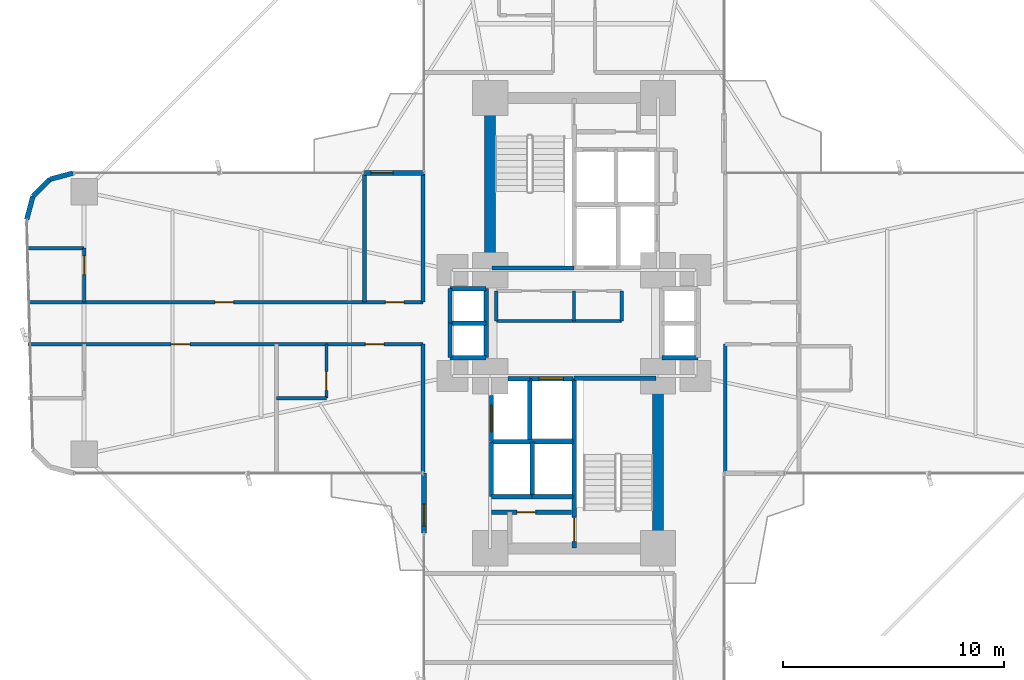
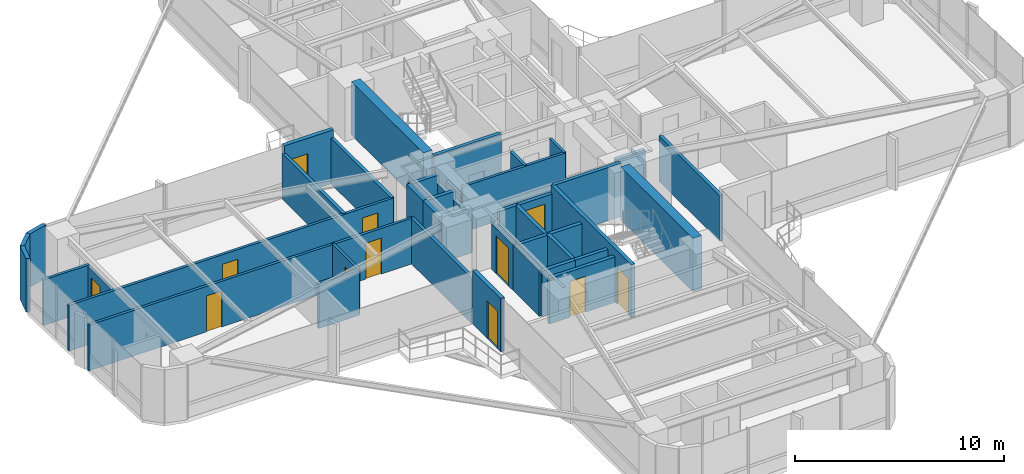
# One storey, part 22 of 25: 41 walls, 12 doors, 12 openings.
"""IFC4 building model written with IfcOpenShell, lengths in metres."""

from ifc_helpers import new_model, si_unit, direction, frame, frame_2d, origin, origin_2d, place, context, subcontext, project, spatial, rectangle, extrude, source, transform, mapped, material, layer, layer_set, type_object, element, fill, save


model = new_model("IFC4")

# Units and contexts
model_context = context("Model", 3, precision=1e-05, world=origin(), true_north=direction((0.0, 1.0)))
body_context = subcontext(model_context, "Body", "Model", "MODEL_VIEW")
ifc_project = project(units=[si_unit("LENGTHUNIT", "METRE"), si_unit("AREAUNIT", "SQUARE_METRE"), si_unit("VOLUMEUNIT", "CUBIC_METRE"), si_unit("PLANEANGLEUNIT", "RADIAN"), si_unit("MASSUNIT", "GRAM", prefix="KILO")], contexts=[model_context])

# Site, building, storey
site_placement = place(None, origin())
site = spatial("IfcSite", under=ifc_project, at=site_placement, CompositionType="ELEMENT")
building_placement = place(site_placement, origin())
building = spatial("IfcBuilding", under=site, at=building_placement, Name="Sahyath Konkavel Grand Hotel", CompositionType="ELEMENT")
storey_placement = place(building_placement, frame((0.0, 0.0, 54.39990234375)))
storey = spatial("IfcBuildingStorey", under=building, at=storey_placement, Name="L14", CompositionType="ELEMENT", Elevation=54.39990234375)

# Walls
ifc_material_1 = material(Name="Concrete C70/85", Category="concrete")
ifc_layer_1 = layer(ifc_material_1, 0.5)
ifc_layer_set_1 = layer_set([ifc_layer_1], Name="Concrete C70/85")
wall_type_1 = type_object("IfcWallType", Name="CWALL-500", PredefinedType="SHEAR", material=ifc_layer_set_1)
for number, where, z_axis, x_axis, name in (
    (1, (-3.800048828125, 2.85009765625, 0.0), (0.0, 0.0, 1.0), (0.0, 1.0, 0.0), "L14 North Core Shear Wall W"),
    (2, (3.800048828125, -9.75, 0.0), (0.0, 0.0, 1.0), (0.0, 1.0, 0.0), "L14 South Core Shear Wall E"),
):
    element("IfcWall", number, at=place(storey_placement, frame(where, z_axis=z_axis, x_axis=x_axis)), inside=storey, type_object=wall_type_1, Name=name, PredefinedType="SHEAR", context=body_context, shape_type="SweptSolid", body=[
        extrude(rectangle(XDim=6.89990234375, YDim=0.5, at=frame_2d((3.449951171875, 0.0))), origin(), (0.0, 0.0, 1.0), 3.110107421875),
    ])

# Wall, opening, door
ifc_material_2 = material(Name="Warm Buff Sandstone Insulated Concrete C40/50", Category="masonry")
ifc_layer_2 = layer(ifc_material_2, 0.219970703125)
ifc_layer_set_2 = layer_set([ifc_layer_2], Name="Warm Buff Sandstone Insulated Concrete C40/50")
wall_type_2 = type_object("IfcWallType", Name="WLL-BALC-THRESH", PredefinedType="STANDARD", material=ifc_layer_set_2)
wall_1_placement = place(storey_placement, frame((-6.800048828125, 6.800048828125, 0.0), z_axis=(0.0, 0.0, 1.0), x_axis=(-1.0, 0.0, 0.0)))
wall_1 = element("IfcWall", 3, at=wall_1_placement, inside=storey, type_object=wall_type_2, Name="L14 Winter-Garden Threshold Wall 16", PredefinedType="STANDARD", context=body_context, shape_type="SweptSolid", body=[
    extrude(rectangle(XDim=2.699951171875, YDim=0.219970703125, at=frame_2d((1.35009765625, 0.0))), origin(), (0.0, 0.0, 1.0), 3.110107421875),
])
opening_1_placement = place(wall_1_placement, frame((1.39990234375, 0.0, 0.0)))
opening_1 = element("IfcOpeningElement", 4, at=opening_1_placement, cuts=wall_1, Name="Opening D-TR1", PredefinedType="OPENING", context=body_context, shape_type="SweptSolid", body=[
    extrude(rectangle(XDim=1.0, YDim=2.199951171875, at=frame_2d((0.5, 1.10009765625))), frame((0.0, 0.1201171875, 0.0), z_axis=(0.0, -1.0, 0.0), x_axis=(1.0, 0.0, 0.0)), (0.0, 0.0, 1.0), 0.239990234375),
])
ifc_material_3 = material(Name="Anodised Bronze Aluminium & Low-E Glazing", Category="aluminium")
door_type_1 = type_object("IfcDoorType", Name="DR-TERRACE-1000", OperationType="NOTDEFINED", PredefinedType="DOOR", material=ifc_material_3)
shared_shape_1 = source(origin(), body_context, "Body", "SweptSolid", [
    extrude(rectangle(XDim=1.0, YDim=0.050048828125, at=origin_2d()), origin(), (0.0, 0.0, 1.0), 2.199951171875),
])
door_1_placement = place(opening_1_placement, frame((0.5, 0.0, 0.0)))
door_1 = element("IfcDoor", 5, at=door_1_placement, inside=storey, type_object=door_type_1, Name="L14 Winter-Garden Terrace Door 16", OperationType="SINGLE_SWING_LEFT", OverallHeight=2.199951171875, OverallWidth=1.0, PredefinedType="DOOR", context=body_context, shape_type="MappedRepresentation", body=[
    mapped(shared_shape_1, transform((0.0, 0.0, 0.0), scale=1.0)),
])
fill(opening_1, door_1)

# Walls
for number, where, z_axis, x_axis, name in (
    (6, (-22.699951171875, 6.800048828125, 0.0), (0.0, 0.0, 1.0), (-0.965951058412, -0.25872485917, 0.0), "L14 Rounded Corner Sandstone Pier 17"),
    (7, (-23.75, 6.518798828125, 0.0), (0.0, 0.0, 1.0), (-0.707106781187, -0.707106781187, 0.0), "L14 Rounded Corner Sandstone Pier 18"),
    (8, (-24.518798828125, 5.75, 0.0), (0.0, 0.0, 1.0), (-0.25872485917, -0.965951058412, 0.0), "L14 Rounded Corner Sandstone Pier 19"),
):
    element("IfcWall", number, at=place(storey_placement, frame(where, z_axis=z_axis, x_axis=x_axis)), inside=storey, type_object=wall_type_2, Name=name, PredefinedType="STANDARD", context=body_context, shape_type="SweptSolid", body=[
        extrude(rectangle(XDim=1.087158203125, YDim=0.219970703125, at=frame_2d((0.54345703125, 0.0))), origin(), (0.0, 0.0, 1.0), 3.110107421875),
    ])

# Wall, opening, door
wall_2_placement = place(storey_placement, frame((-6.800048828125, -6.800048828125, 0.0), z_axis=(0.0, 0.0, 1.0), x_axis=(0.0, -1.0, 0.0)))
wall_2 = element("IfcWall", 9, at=wall_2_placement, inside=storey, type_object=wall_type_2, Name="L14 Winter-Garden Threshold Wall 24", PredefinedType="STANDARD", context=body_context, shape_type="SweptSolid", body=[
    extrude(rectangle(XDim=2.699951171875, YDim=0.219970703125, at=frame_2d((1.35009765625, 0.0))), origin(), (0.0, 0.0, 1.0), 3.110107421875),
])
opening_2_placement = place(wall_2_placement, frame((1.39990234375, 0.0, 0.0)))
opening_2 = element("IfcOpeningElement", 10, at=opening_2_placement, cuts=wall_2, Name="Opening D-TR1", PredefinedType="OPENING", context=body_context, shape_type="SweptSolid", body=[
    extrude(rectangle(XDim=1.0, YDim=2.199951171875, at=frame_2d((0.5, 1.10009765625))), frame((0.0, 0.1201171875, 0.0), z_axis=(0.0, -1.0, 0.0), x_axis=(1.0, 0.0, 0.0)), (0.0, 0.0, 1.0), 0.239990234375),
])
door_2_placement = place(opening_2_placement, frame((0.5, 0.0, 0.0)))
door_2 = element("IfcDoor", 11, at=door_2_placement, inside=storey, type_object=door_type_1, Name="L14 Winter-Garden Terrace Door 24", OperationType="SINGLE_SWING_LEFT", OverallHeight=2.199951171875, OverallWidth=1.0, PredefinedType="DOOR", context=body_context, shape_type="MappedRepresentation", body=[
    mapped(shared_shape_1, transform((0.0, 0.0, 0.0), scale=1.0)),
])
fill(opening_2, door_2)

# Wall
ifc_material_4 = material(Name="Concrete C40/50", Category="concrete")
ifc_layer_3 = layer(ifc_material_4, 0.199951171875)
ifc_layer_set_3 = layer_set([ifc_layer_3], Name="Concrete C40/50")
wall_type_3 = type_object("IfcWallType", Name="WLL-CORE-200", PredefinedType="SOLIDWALL", material=ifc_layer_set_3)
wall_3_placement = place(storey_placement, frame((-3.719970703125, 2.5, 0.0), z_axis=(0.0, 0.0, 1.0), x_axis=(1.0, 0.0, 0.0)))
element("IfcWall", 12, at=wall_3_placement, inside=storey, type_object=wall_type_3, Name="L14 Stair ST-1 Shaft Wall S", PredefinedType="SOLIDWALL", context=body_context, shape_type="SweptSolid", body=[
    extrude(rectangle(XDim=3.719970703125, YDim=0.199951171875, at=frame_2d((1.85986328125, 0.0))), origin(), (0.0, 0.0, 1.0), 3.110107421875),
])

# Wall, opening, door
wall_4_placement = place(storey_placement, frame((0.0, -10.179931640625, 0.0), z_axis=(0.0, 0.0, 1.0), x_axis=(0.0, 1.0, 0.0)))
wall_4 = element("IfcWall", 13, at=wall_4_placement, inside=storey, type_object=wall_type_3, Name="L14 Stair ST-2 Shaft Wall W", PredefinedType="SOLIDWALL", context=body_context, shape_type="SweptSolid", body=[
    extrude(rectangle(XDim=7.679931640625, YDim=0.199951171875, at=frame_2d((3.83984375, 0.0))), origin(), (0.0, 0.0, 1.0), 3.110107421875),
])
opening_3_placement = place(wall_4_placement, frame((0.280029296875, 0.0, 0.0)))
opening_3 = element("IfcOpeningElement", 14, at=opening_3_placement, cuts=wall_4, Name="Opening D-F12B", PredefinedType="OPENING", context=body_context, shape_type="SweptSolid", body=[
    extrude(rectangle(XDim=1.10009765625, YDim=2.14990234375, at=frame_2d((0.550048828125, 1.074951171875))), frame((0.0, 0.10986328125, 0.0), z_axis=(0.0, -1.0, 0.0), x_axis=(1.0, 0.0, 0.0)), (0.0, 0.0, 1.0), 0.219970703125),
])
ifc_material_5 = material(Name="Steel E350 Smokeproof Fire Door", Category="steel")
door_type_2 = type_object("IfcDoorType", Name="DR-FD120-1100", OperationType="NOTDEFINED", PredefinedType="DOOR", material=ifc_material_5)
shared_shape_2 = source(origin(), body_context, "Body", "SweptSolid", [
    extrude(rectangle(XDim=1.10009765625, YDim=0.050048828125, at=origin_2d()), origin(), (0.0, 0.0, 1.0), 2.14990234375),
])
door_3_placement = place(opening_3_placement, frame((0.550048828125, 0.0, 0.0)))
door_3 = element("IfcDoor", 15, at=door_3_placement, inside=storey, type_object=door_type_2, Name="L14 Stair ST-2 Fire Door", OperationType="SINGLE_SWING_RIGHT", OverallHeight=2.14990234375, OverallWidth=1.10009765625, PredefinedType="DOOR", context=body_context, shape_type="MappedRepresentation", body=[
    mapped(shared_shape_2, transform((0.0, 0.0, 0.0), scale=1.0)),
])
fill(opening_3, door_3)

# Walls
wall_5_placement = place(storey_placement, frame((0.0, -2.5, 0.0), z_axis=(0.0, 0.0, 1.0), x_axis=(1.0, 0.0, 0.0)))
element("IfcWall", 16, at=wall_5_placement, inside=storey, type_object=wall_type_3, Name="L14 Stair ST-2 Shaft Wall N", PredefinedType="SOLIDWALL", context=body_context, shape_type="SweptSolid", body=[
    extrude(rectangle(XDim=3.719970703125, YDim=0.199951171875, at=frame_2d((1.85986328125, 0.0))), origin(), (0.0, 0.0, 1.0), 3.110107421875),
])
wall_6_placement = place(storey_placement, frame((-2.0, -5.280029296875, 0.0), z_axis=(0.0, 0.0, 1.0), x_axis=(0.0, 1.0, 0.0)))
element("IfcWall", 17, at=wall_6_placement, inside=storey, type_object=wall_type_3, Name="L14 Partition SH-FFL2-W", PredefinedType="SOLIDWALL", context=body_context, shape_type="SweptSolid", body=[
    extrude(rectangle(XDim=2.780029296875, YDim=0.199951171875, at=frame_2d((1.39013671875, 0.0))), origin(), (0.0, 0.0, 1.0), 2.66015625),
])

# Wall, opening, door
wall_7_placement = place(storey_placement, frame((-2.0, -2.52001953125, 0.0), z_axis=(0.0, 0.0, 1.0), x_axis=(1.0, 0.0, 0.0)))
wall_7 = element("IfcWall", 18, at=wall_7_placement, inside=storey, type_object=wall_type_3, Name="L14 Partition SH-FFL2-N", PredefinedType="SOLIDWALL", context=body_context, shape_type="SweptSolid", body=[
    extrude(rectangle(XDim=1.949951171875, YDim=0.199951171875, at=frame_2d((0.97509765625, 0.0))), origin(), (0.0, 0.0, 1.0), 2.66015625),
])
opening_4_placement = place(wall_7_placement, frame((0.419921875, 0.0, 0.0)))
opening_4 = element("IfcOpeningElement", 19, at=opening_4_placement, cuts=wall_7, Name="Opening LD-11", PredefinedType="OPENING", context=body_context, shape_type="SweptSolid", body=[
    extrude(rectangle(XDim=1.10009765625, YDim=2.199951171875, at=frame_2d((0.550048828125, 1.10009765625))), frame((0.0, 0.10986328125, 0.0), z_axis=(0.0, -1.0, 0.0), x_axis=(1.0, 0.0, 0.0)), (0.0, 0.0, 1.0), 0.219970703125),
])
ifc_material_6 = material(Name="Bronze Lift Landing Door 1100")
door_type_3 = type_object("IfcDoorType", Name="DR-LIFT-1100", OperationType="DOUBLE_DOOR_SLIDING", PredefinedType="DOOR", material=ifc_material_6)
shared_shape_3 = source(origin(), body_context, "Body", "SweptSolid", [
    extrude(rectangle(XDim=1.10009765625, YDim=0.050048828125, at=origin_2d()), origin(), (0.0, 0.0, 1.0), 2.199951171875),
])
door_4_placement = place(opening_4_placement, frame((0.550048828125, 0.0, 0.0)))
door_4 = element("IfcDoor", 20, at=door_4_placement, inside=storey, type_object=door_type_3, Name="L14 Lift FFL-2 Landing Door", OperationType="DOUBLE_DOOR_SLIDING", OverallHeight=2.199951171875, OverallWidth=1.10009765625, PredefinedType="DOOR", context=body_context, shape_type="MappedRepresentation", body=[
    mapped(shared_shape_3, transform((0.0, 0.0, 0.0), scale=1.0)),
])
fill(opening_4, door_4)

# Wall
wall_8_placement = place(storey_placement, frame((-3.0, -2.52001953125, 0.0), z_axis=(0.0, 0.0, 1.0), x_axis=(1.0, 0.0, 0.0)))
element("IfcWall", 21, at=wall_8_placement, inside=storey, type_object=wall_type_3, Name="L14 Partition SH-SVL2-N", PredefinedType="SOLIDWALL", context=body_context, shape_type="SweptSolid", body=[
    extrude(rectangle(XDim=1.0, YDim=0.199951171875, at=frame_2d((0.5, 0.0))), origin(), (0.0, 0.0, 1.0), 2.66015625),
])

# Wall, opening, door
wall_9_placement = place(storey_placement, frame((-3.739990234375, -5.360107421875, 0.0), z_axis=(0.0, 0.0, 1.0), x_axis=(0.0, 1.0, 0.0)))
wall_9 = element("IfcWall", 22, at=wall_9_placement, inside=storey, type_object=wall_type_3, Name="L14 Partition SH-SVL2-W", PredefinedType="SOLIDWALL", context=body_context, shape_type="SweptSolid", body=[
    extrude(rectangle(XDim=2.080078125, YDim=0.199951171875, at=frame_2d((1.0400390625, 0.0))), origin(), (0.0, 0.0, 1.0), 2.66015625),
])
opening_5_placement = place(wall_9_placement, frame((0.43994140625, 0.0, 0.0)))
opening_5 = element("IfcOpeningElement", 23, at=opening_5_placement, cuts=wall_9, Name="Opening LD-12", PredefinedType="OPENING", context=body_context, shape_type="SweptSolid", body=[
    extrude(rectangle(XDim=1.199951171875, YDim=2.199951171875, at=frame_2d((0.60009765625, 1.10009765625))), frame((0.0, 0.10986328125, 0.0), z_axis=(0.0, -1.0, 0.0), x_axis=(1.0, 0.0, 0.0)), (0.0, 0.0, 1.0), 0.219970703125),
])
ifc_material_7 = material(Name="Stainless Steel Lift Landing Door 1200", Category="steel")
door_type_4 = type_object("IfcDoorType", Name="DR-LIFT-1200", OperationType="DOUBLE_DOOR_SLIDING", PredefinedType="DOOR", material=ifc_material_7)
shared_shape_4 = source(origin(), body_context, "Body", "SweptSolid", [
    extrude(rectangle(XDim=1.199951171875, YDim=0.050048828125, at=origin_2d()), origin(), (0.0, 0.0, 1.0), 2.199951171875),
])
door_5_placement = place(opening_5_placement, frame((0.60009765625, 0.0, 0.0)))
door_5 = element("IfcDoor", 24, at=door_5_placement, inside=storey, type_object=door_type_4, Name="L14 Service Lift SVL-2 Landing Door", OperationType="DOUBLE_DOOR_SLIDING", OverallHeight=2.199951171875, OverallWidth=1.199951171875, PredefinedType="DOOR", context=body_context, shape_type="MappedRepresentation", body=[
    mapped(shared_shape_4, transform((0.0, 0.0, 0.0), scale=1.0)),
])
fill(opening_5, door_5)

# Walls
wall_10_placement = place(storey_placement, frame((-3.739990234375, -7.860107421875, 0.0), z_axis=(0.0, 0.0, 1.0), x_axis=(0.0, 1.0, 0.0)))
element("IfcWall", 25, at=wall_10_placement, inside=storey, type_object=wall_type_3, Name="L14 Partition SH-PL3-W", PredefinedType="SOLIDWALL", context=body_context, shape_type="SweptSolid", body=[
    extrude(rectangle(XDim=2.480224609375, YDim=0.199951171875, at=frame_2d((1.240234375, 0.0))), origin(), (0.0, 0.0, 1.0), 2.66015625),
])
wall_11_placement = place(storey_placement, frame((-3.739990234375, -7.860107421875, 0.0), z_axis=(0.0, 0.0, 1.0), x_axis=(1.0, 0.0, 0.0)))
element("IfcWall", 26, at=wall_11_placement, inside=storey, type_object=wall_type_3, Name="L14 Partition SH-PL3-S", PredefinedType="SOLIDWALL", context=body_context, shape_type="SweptSolid", body=[
    extrude(rectangle(XDim=1.840087890625, YDim=0.199951171875, at=frame_2d((0.919921875, 0.0))), origin(), (0.0, 0.0, 1.0), 2.66015625),
])
wall_12_placement = place(storey_placement, frame((-3.739990234375, -5.3798828125, 0.0), z_axis=(0.0, 0.0, 1.0), x_axis=(1.0, 0.0, 0.0)))
element("IfcWall", 27, at=wall_12_placement, inside=storey, type_object=wall_type_3, Name="L14 Partition SH-PL34-N", PredefinedType="SOLIDWALL", context=body_context, shape_type="SweptSolid", body=[
    extrude(rectangle(XDim=3.68994140625, YDim=0.199951171875, at=frame_2d((1.844970703125, 0.0))), origin(), (0.0, 0.0, 1.0), 2.66015625),
])
wall_13_placement = place(storey_placement, frame((-1.89990234375, -7.860107421875, 0.0), z_axis=(0.0, 0.0, 1.0), x_axis=(0.0, 1.0, 0.0)))
element("IfcWall", 28, at=wall_13_placement, inside=storey, type_object=wall_type_3, Name="L14 Partition SH-PL34-M", PredefinedType="SOLIDWALL", context=body_context, shape_type="SweptSolid", body=[
    extrude(rectangle(XDim=2.480224609375, YDim=0.199951171875, at=frame_2d((1.240234375, 0.0))), origin(), (0.0, 0.0, 1.0), 2.66015625),
])
wall_14_placement = place(storey_placement, frame((-1.89990234375, -7.860107421875, 0.0), z_axis=(0.0, 0.0, 1.0), x_axis=(1.0, 0.0, 0.0)))
element("IfcWall", 29, at=wall_14_placement, inside=storey, type_object=wall_type_3, Name="L14 Partition SH-PL4-S", PredefinedType="SOLIDWALL", context=body_context, shape_type="SweptSolid", body=[
    extrude(rectangle(XDim=1.849853515625, YDim=0.199951171875, at=frame_2d((0.9248046875, 0.0))), origin(), (0.0, 0.0, 1.0), 2.66015625),
])
wall_15_placement = place(storey_placement, frame((3.97998046875, -1.56005859375, 0.0), z_axis=(0.0, 0.0, 1.0), x_axis=(1.0, 0.0, 0.0)))
element("IfcWall", 30, at=wall_15_placement, inside=storey, type_object=wall_type_3, Name="L14 Partition SH-PL56-S", PredefinedType="SOLIDWALL", context=body_context, shape_type="SweptSolid", body=[
    extrude(rectangle(XDim=1.64013671875, YDim=0.199951171875, at=frame_2d((0.820068359375, 0.0))), origin(), (0.0, 0.0, 1.0), 2.66015625),
])
wall_16_placement = place(storey_placement, frame((-3.97998046875, -1.56005859375, 0.0), z_axis=(0.0, 0.0, 1.0), x_axis=(0.0, 1.0, 0.0)))
element("IfcWall", 31, at=wall_16_placement, inside=storey, type_object=wall_type_3, Name="L14 Partition SH-SL12-E", PredefinedType="SOLIDWALL", context=body_context, shape_type="SweptSolid", body=[
    extrude(rectangle(XDim=3.1201171875, YDim=0.199951171875, at=frame_2d((1.56005859375, 0.0))), origin(), (0.0, 0.0, 1.0), 2.18017578125),
])
for number, where, z_axis, x_axis, name in (
    (32, (-5.6201171875, 1.56005859375, 0.0), (0.0, 0.0, 1.0), (1.0, 0.0, 0.0), "L14 Partition SH-SL12-N"),
    (33, (-5.6201171875, -1.56005859375, 0.0), (0.0, 0.0, 1.0), (1.0, 0.0, 0.0), "L14 Partition SH-SL12-S"),
    (34, (-5.6201171875, 0.0, 0.0), (0.0, 0.0, 1.0), (1.0, 0.0, 0.0), "L14 Partition SH-SL12-M"),
):
    element("IfcWall", number, at=place(storey_placement, frame(where, z_axis=z_axis, x_axis=x_axis)), inside=storey, type_object=wall_type_3, Name=name, PredefinedType="SOLIDWALL", context=body_context, shape_type="SweptSolid", body=[
        extrude(rectangle(XDim=1.64013671875, YDim=0.199951171875, at=frame_2d((0.820068359375, 0.0))), origin(), (0.0, 0.0, 1.0), 2.66015625),
    ])
for number, where, z_axis, x_axis, name in (
    (35, (-5.6201171875, 0.0, 0.0), (0.0, 0.0, 1.0), (0.0, 1.0, 0.0), "L14 Partition SH-SL1-W"),
    (36, (-5.6201171875, -1.56005859375, 0.0), (0.0, 0.0, 1.0), (0.0, 1.0, 0.0), "L14 Partition SH-SL2-W"),
):
    element("IfcWall", number, at=place(storey_placement, frame(where, z_axis=z_axis, x_axis=x_axis)), inside=storey, type_object=wall_type_3, Name=name, PredefinedType="SOLIDWALL", context=body_context, shape_type="SweptSolid", body=[
        extrude(rectangle(XDim=1.56005859375, YDim=0.199951171875, at=frame_2d((0.780029296875, 0.0))), origin(), (0.0, 0.0, 1.0), 2.66015625),
    ])

# Wall, opening, door
wall_17_placement = place(storey_placement, frame((-3.739990234375, -8.56005859375, 0.0), z_axis=(0.0, 0.0, 1.0), x_axis=(1.0, 0.0, 0.0)))
wall_17 = element("IfcWall", 37, at=wall_17_placement, inside=storey, type_object=wall_type_3, Name="L14 South FF Lobby Separation Wall", PredefinedType="SOLIDWALL", context=body_context, shape_type="SweptSolid", body=[
    extrude(rectangle(XDim=3.619873046875, YDim=0.199951171875, at=frame_2d((1.81005859375, 0.0))), origin(), (0.0, 0.0, 1.0), 2.66015625),
])
opening_6_placement = place(wall_17_placement, frame((1.14990234375, 0.0, 0.0)))
opening_6 = element("IfcOpeningElement", 38, at=opening_6_placement, cuts=wall_17, Name="Opening D-F12D", PredefinedType="OPENING", context=body_context, shape_type="SweptSolid", body=[
    extrude(rectangle(XDim=0.85009765625, YDim=2.10009765625, at=frame_2d((0.425048828125, 1.050048828125))), frame((0.0, 0.10986328125, 0.0), z_axis=(0.0, -1.0, 0.0), x_axis=(1.0, 0.0, 0.0)), (0.0, 0.0, 1.0), 0.219970703125),
])
ifc_material_8 = material(Name="Steel E350 Core Fire Door", Category="steel")
door_type_5 = type_object("IfcDoorType", Name="DR-FD120-850", OperationType="NOTDEFINED", PredefinedType="DOOR", material=ifc_material_8)
shared_shape_5 = source(origin(), body_context, "Body", "SweptSolid", [
    extrude(rectangle(XDim=0.85009765625, YDim=0.050048828125, at=origin_2d()), origin(), (0.0, 0.0, 1.0), 2.10009765625),
])
door_6_placement = place(opening_6_placement, frame((0.425048828125, 0.0, 0.0)))
door_6 = element("IfcDoor", 39, at=door_6_placement, inside=storey, type_object=door_type_5, Name="L14 South Firefighting Lobby Door", OperationType="SINGLE_SWING_LEFT", OverallHeight=2.10009765625, OverallWidth=0.85009765625, PredefinedType="DOOR", context=body_context, shape_type="MappedRepresentation", body=[
    mapped(shared_shape_5, transform((0.0, 0.0, 0.0), scale=1.0)),
])
fill(opening_6, door_6)

# Walls
ifc_material_9 = material(Name="Twin-Stud Acoustic Gypsum Plasterboard Partition")
ifc_layer_4 = layer(ifc_material_9, 0.179931640625)
ifc_layer_set_4 = layer_set([ifc_layer_4], Name="Twin-Stud Acoustic Gypsum Plasterboard Partition")
wall_type_4 = type_object("IfcWallType", Name="WLL-DEMISE-180", PredefinedType="PARTITIONING", material=ifc_layer_set_4)
for number, where, z_axis, x_axis, name in (
    (40, (6.85009765625, -6.75, 0.0), (0.0, 0.0, 1.0), (0.0, 1.0, 0.0), "L14 Partition E-INR"),
    (41, (-6.85009765625, -0.949951171875, 0.0), (0.0, 0.0, 1.0), (0.0, -1.0, 0.0), "L14 Partition W-INL"),
    (42, (-6.85009765625, 6.75, 0.0), (0.0, 0.0, 1.0), (0.0, -1.0, 0.0), "L14 Partition W-INR"),
    (43, (-9.5, 0.949951171875, 0.0), (0.0, 0.0, 1.0), (0.0, 1.0, 0.0), "L14 Partition W-WHK-DEM"),
):
    element("IfcWall", number, at=place(storey_placement, frame(where, z_axis=z_axis, x_axis=x_axis)), inside=storey, type_object=wall_type_4, Name=name, PredefinedType="PARTITIONING", context=body_context, shape_type="SweptSolid", body=[
        extrude(rectangle(XDim=5.800048828125, YDim=0.179931640625, at=frame_2d((2.89990234375, 0.0))), origin(), (0.0, 0.0, 1.0), 2.66015625),
    ])
ifc_material_10 = material(Name="Fire-Rated Gypsum Plasterboard Partition")
ifc_layer_5 = layer(ifc_material_10, 0.14990234375)
ifc_layer_set_5 = layer_set([ifc_layer_5], Name="Fire-Rated Gypsum Plasterboard Partition")
wall_type_5 = type_object("IfcWallType", Name="WLL-PART-150", PredefinedType="PARTITIONING", material=ifc_layer_set_5)
wall_18_placement = place(storey_placement, frame((-3.52001953125, 0.10009765625, 0.0), z_axis=(0.0, 0.0, 1.0), x_axis=(1.0, 0.0, 0.0)))
element("IfcWall", 44, at=wall_18_placement, inside=storey, type_object=wall_type_5, Name="L14 Partition CC-S0-FIX", PredefinedType="PARTITIONING", context=body_context, shape_type="SweptSolid", body=[
    extrude(rectangle(XDim=5.679931640625, YDim=0.14990234375, at=frame_2d((2.83984375, 0.0))), origin(), (0.0, 0.0, 1.0), 2.66015625),
])
wall_19_placement = place(storey_placement, frame((-3.52001953125, 0.10009765625, 0.0), z_axis=(0.0, 0.0, 1.0), x_axis=(0.0, 1.0, 0.0)))
element("IfcWall", 45, at=wall_19_placement, inside=storey, type_object=wall_type_5, Name="L14 Partition CC-W0", PredefinedType="PARTITIONING", context=body_context, shape_type="SweptSolid", body=[
    extrude(rectangle(XDim=1.35986328125, YDim=0.14990234375, at=frame_2d((0.679931640625, 0.0))), origin(), (0.0, 0.0, 1.0), 2.18017578125),
])
for number, where, z_axis, x_axis, name in (
    (46, (2.159912109375, 0.10009765625, 0.0), (0.0, 0.0, 1.0), (0.0, 1.0, 0.0), "L14 Partition CC-E0"),
    (47, (0.0, 0.10009765625, 0.0), (0.0, 0.0, 1.0), (0.0, 1.0, 0.0), "L14 Partition CC-M0"),
):
    element("IfcWall", number, at=place(storey_placement, frame(where, z_axis=z_axis, x_axis=x_axis)), inside=storey, type_object=wall_type_5, Name=name, PredefinedType="PARTITIONING", context=body_context, shape_type="SweptSolid", body=[
        extrude(rectangle(XDim=1.35986328125, YDim=0.14990234375, at=frame_2d((0.679931640625, 0.0))), origin(), (0.0, 0.0, 1.0), 2.66015625),
    ])

# Wall, openings, doors
wall_20_placement = place(storey_placement, frame((-6.85009765625, -0.949951171875, 0.0), z_axis=(0.0, 0.0, 1.0), x_axis=(-1.0, 0.0, 0.0)))
wall_20 = element("IfcWall", 48, at=wall_20_placement, inside=storey, type_object=wall_type_5, Name="L14 Partition W-CL", PredefinedType="PARTITIONING", context=body_context, shape_type="SweptSolid", body=[
    extrude(rectangle(XDim=17.89990234375, YDim=0.14990234375, at=frame_2d((8.949951171875, 0.0))), origin(), (0.0, 0.0, 1.0), 2.66015625),
])
opening_7_placement = place(wall_20_placement, frame((1.760009765625, 0.0, 0.0)))
opening_7 = element("IfcOpeningElement", 49, at=opening_7_placement, cuts=wall_20, Name="Opening D-F06D", PredefinedType="OPENING", context=body_context, shape_type="SweptSolid", body=[
    extrude(rectangle(XDim=0.85009765625, YDim=2.10009765625, at=frame_2d((0.425048828125, 1.050048828125))), frame((0.0, 0.0849609375, 0.0), z_axis=(0.0, -1.0, 0.0), x_axis=(1.0, 0.0, 0.0)), (0.0, 0.0, 1.0), 0.169921875),
])
opening_8_placement = place(wall_20_placement, frame((10.56201171875, 0.0, 0.0)))
opening_8 = element("IfcOpeningElement", 50, at=opening_8_placement, cuts=wall_20, Name="Opening D-F06D", PredefinedType="OPENING", context=body_context, shape_type="SweptSolid", body=[
    extrude(rectangle(XDim=0.85009765625, YDim=2.10009765625, at=frame_2d((0.425048828125, 1.050048828125))), frame((0.0, 0.0849609375, 0.0), z_axis=(0.0, -1.0, 0.0), x_axis=(1.0, 0.0, 0.0)), (0.0, 0.0, 1.0), 0.169921875),
])
ifc_material_11 = material(Name="Fire-Rated Shaft Access Door")
door_type_6 = type_object("IfcDoorType", Name="DR-FD60-850", OperationType="NOTDEFINED", PredefinedType="DOOR", material=ifc_material_11)
door_7_placement = place(opening_7_placement, frame((0.425048828125, 0.0, 0.0)))
door_7 = element("IfcDoor", 51, at=door_7_placement, inside=storey, type_object=door_type_6, Name="L14 Door W-W1L-ED", OperationType="SINGLE_SWING_RIGHT", OverallHeight=2.10009765625, OverallWidth=0.85009765625, PredefinedType="DOOR", context=body_context, shape_type="MappedRepresentation", body=[
    mapped(shared_shape_5, transform((0.0, 0.0, 0.0), scale=1.0)),
])
fill(opening_7, door_7)
door_8_placement = place(opening_8_placement, frame((0.425048828125, 0.0, 0.0)))
door_8 = element("IfcDoor", 52, at=door_8_placement, inside=storey, type_object=door_type_6, Name="L14 Door W-W2L-ED", OperationType="SINGLE_SWING_RIGHT", OverallHeight=2.10009765625, OverallWidth=0.85009765625, PredefinedType="DOOR", context=body_context, shape_type="MappedRepresentation", body=[
    mapped(shared_shape_5, transform((0.0, 0.0, 0.0), scale=1.0)),
])
fill(opening_8, door_8)

wall_21_placement = place(storey_placement, frame((-6.85009765625, 0.949951171875, 0.0), z_axis=(0.0, 0.0, 1.0), x_axis=(-1.0, 0.0, 0.0)))
wall_21 = element("IfcWall", 53, at=wall_21_placement, inside=storey, type_object=wall_type_5, Name="L14 Partition W-CR", PredefinedType="PARTITIONING", context=body_context, shape_type="SweptSolid", body=[
    extrude(rectangle(XDim=17.89990234375, YDim=0.14990234375, at=frame_2d((8.949951171875, 0.0))), origin(), (0.0, 0.0, 1.0), 2.66015625),
])
opening_9_placement = place(wall_21_placement, frame((0.85009765625, 0.0, 0.0)))
opening_9 = element("IfcOpeningElement", 54, at=opening_9_placement, cuts=wall_21, Name="Opening D-F06D", PredefinedType="OPENING", context=body_context, shape_type="SweptSolid", body=[
    extrude(rectangle(XDim=0.85009765625, YDim=2.10009765625, at=frame_2d((0.425048828125, 1.050048828125))), frame((0.0, 0.0849609375, 0.0), z_axis=(0.0, -1.0, 0.0), x_axis=(1.0, 0.0, 0.0)), (0.0, 0.0, 1.0), 0.169921875),
])
opening_10_placement = place(wall_21_placement, frame((8.574951171875, 0.0, 0.0)))
opening_10 = element("IfcOpeningElement", 55, at=opening_10_placement, cuts=wall_21, Name="Opening D-F06D", PredefinedType="OPENING", context=body_context, shape_type="SweptSolid", body=[
    extrude(rectangle(XDim=0.85009765625, YDim=2.10009765625, at=frame_2d((0.425048828125, 1.050048828125))), frame((0.0, 0.0849609375, 0.0), z_axis=(0.0, -1.0, 0.0), x_axis=(1.0, 0.0, 0.0)), (0.0, 0.0, 1.0), 0.169921875),
])
door_9_placement = place(opening_9_placement, frame((0.425048828125, 0.0, 0.0)))
door_9 = element("IfcDoor", 56, at=door_9_placement, inside=storey, type_object=door_type_6, Name="L14 Door W-WHK-D", OperationType="SINGLE_SWING_LEFT", OverallHeight=2.10009765625, OverallWidth=0.85009765625, PredefinedType="DOOR", context=body_context, shape_type="MappedRepresentation", body=[
    mapped(shared_shape_5, transform((0.0, 0.0, 0.0), scale=1.0)),
])
fill(opening_9, door_9)
door_10_placement = place(opening_10_placement, frame((0.425048828125, 0.0, 0.0)))
door_10 = element("IfcDoor", 57, at=door_10_placement, inside=storey, type_object=door_type_6, Name="L14 Door W-W2R-ED", OperationType="SINGLE_SWING_LEFT", OverallHeight=2.10009765625, OverallWidth=0.85009765625, PredefinedType="DOOR", context=body_context, shape_type="MappedRepresentation", body=[
    mapped(shared_shape_5, transform((0.0, 0.0, 0.0), scale=1.0)),
])
fill(opening_10, door_10)

# Wall, opening, door
wall_22_placement = place(storey_placement, frame((-11.220947265625, -0.949951171875, 0.0), z_axis=(0.0, 0.0, 1.0), x_axis=(0.0, -1.0, 0.0)))
wall_22 = element("IfcWall", 58, at=wall_22_placement, inside=storey, type_object=wall_type_5, Name="L14 Partition W-W1L-BS", PredefinedType="PARTITIONING", context=body_context, shape_type="SweptSolid", body=[
    extrude(rectangle(XDim=2.449951171875, YDim=0.14990234375, at=frame_2d((1.22509765625, 0.0))), origin(), (0.0, 0.0, 1.0), 2.66015625),
])
opening_11_placement = place(wall_22_placement, frame((1.25, 0.0, 0.0)))
opening_11 = element("IfcOpeningElement", 59, at=opening_11_placement, cuts=wall_22, Name="Opening D-BT85", PredefinedType="OPENING", context=body_context, shape_type="SweptSolid", body=[
    extrude(rectangle(XDim=0.85009765625, YDim=2.10009765625, at=frame_2d((0.425048828125, 1.050048828125))), frame((0.0, 0.0849609375, 0.0), z_axis=(0.0, -1.0, 0.0), x_axis=(1.0, 0.0, 0.0)), (0.0, 0.0, 1.0), 0.169921875),
])
ifc_material_12 = material(Name="Moisture-Resistant Teak Bathroom Door")
door_type_7 = type_object("IfcDoorType", Name="DR-BATH-850", OperationType="NOTDEFINED", PredefinedType="DOOR", material=ifc_material_12)
door_11_placement = place(opening_11_placement, frame((0.425048828125, 0.0, 0.0)))
door_11 = element("IfcDoor", 60, at=door_11_placement, inside=storey, type_object=door_type_7, Name="L14 Door W-W1L-BD", OperationType="SINGLE_SWING_LEFT", OverallHeight=2.10009765625, OverallWidth=0.85009765625, PredefinedType="DOOR", context=body_context, shape_type="MappedRepresentation", body=[
    mapped(shared_shape_5, transform((0.0, 0.0, 0.0), scale=1.0)),
])
fill(opening_11, door_11)

# Wall
wall_23_placement = place(storey_placement, frame((-11.220947265625, -3.39990234375, 0.0), z_axis=(0.0, 0.0, 1.0), x_axis=(-1.0, 0.0, 0.0)))
element("IfcWall", 61, at=wall_23_placement, inside=storey, type_object=wall_type_5, Name="L14 Partition W-W1L-BF", PredefinedType="PARTITIONING", context=body_context, shape_type="SweptSolid", body=[
    extrude(rectangle(XDim=2.251953125, YDim=0.14990234375, at=frame_2d((1.1259765625, 0.0))), origin(), (0.0, 0.0, 1.0), 2.630126953125),
])

# Wall, opening, door
wall_24_placement = place(storey_placement, frame((-22.199951171875, 0.949951171875, 0.0), z_axis=(0.0, 0.0, 1.0), x_axis=(0.0, 1.0, 0.0)))
wall_24 = element("IfcWall", 62, at=wall_24_placement, inside=storey, type_object=wall_type_5, Name="L14 Partition W-W2R-BS", PredefinedType="PARTITIONING", context=body_context, shape_type="SweptSolid", body=[
    extrude(rectangle(XDim=2.449951171875, YDim=0.14990234375, at=frame_2d((1.22509765625, 0.0))), origin(), (0.0, 0.0, 1.0), 2.580078125),
])
opening_12_placement = place(wall_24_placement, frame((1.25, 0.0, 0.0)))
opening_12 = element("IfcOpeningElement", 63, at=opening_12_placement, cuts=wall_24, Name="Opening D-BT85", PredefinedType="OPENING", context=body_context, shape_type="SweptSolid", body=[
    extrude(rectangle(XDim=0.85009765625, YDim=2.10009765625, at=frame_2d((0.425048828125, 1.050048828125))), frame((0.0, 0.0849609375, 0.0), z_axis=(0.0, -1.0, 0.0), x_axis=(1.0, 0.0, 0.0)), (0.0, 0.0, 1.0), 0.169921875),
])
door_12_placement = place(opening_12_placement, frame((0.425048828125, 0.0, 0.0)))
door_12 = element("IfcDoor", 64, at=door_12_placement, inside=storey, type_object=door_type_7, Name="L14 Door W-W2R-BD", OperationType="SINGLE_SWING_RIGHT", OverallHeight=2.10009765625, OverallWidth=0.85009765625, PredefinedType="DOOR", context=body_context, shape_type="MappedRepresentation", body=[
    mapped(shared_shape_5, transform((0.0, 0.0, 0.0), scale=1.0)),
])
fill(opening_12, door_12)

# Wall
wall_25_placement = place(storey_placement, frame((-22.199951171875, 3.39990234375, 0.0), z_axis=(0.0, 0.0, 1.0), x_axis=(-1.0, 0.0, 0.0)))
element("IfcWall", 65, at=wall_25_placement, inside=storey, type_object=wall_type_5, Name="L14 Partition W-W2R-BF", PredefinedType="PARTITIONING", context=body_context, shape_type="SweptSolid", body=[
    extrude(rectangle(XDim=2.550048828125, YDim=0.14990234375, at=frame_2d((1.27490234375, 0.0))), origin(), (0.0, 0.0, 1.0), 2.66015625),
])

save(model, "model.ifc")
